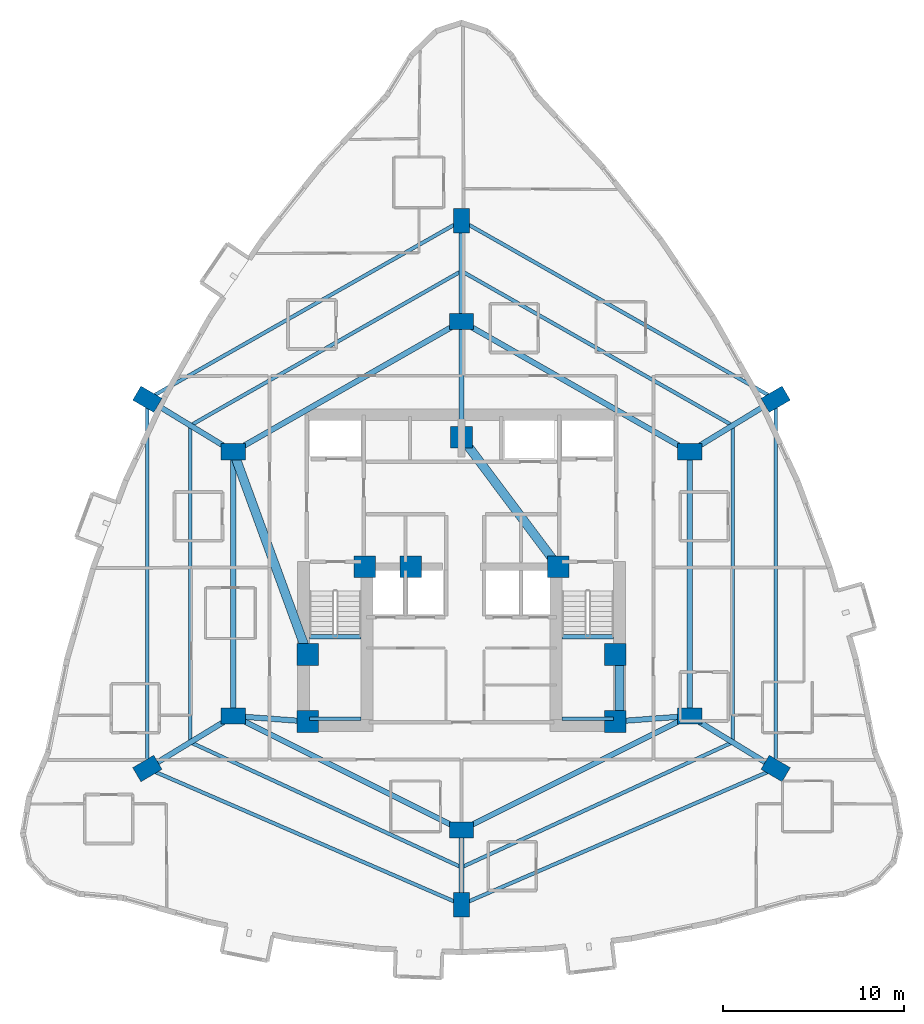
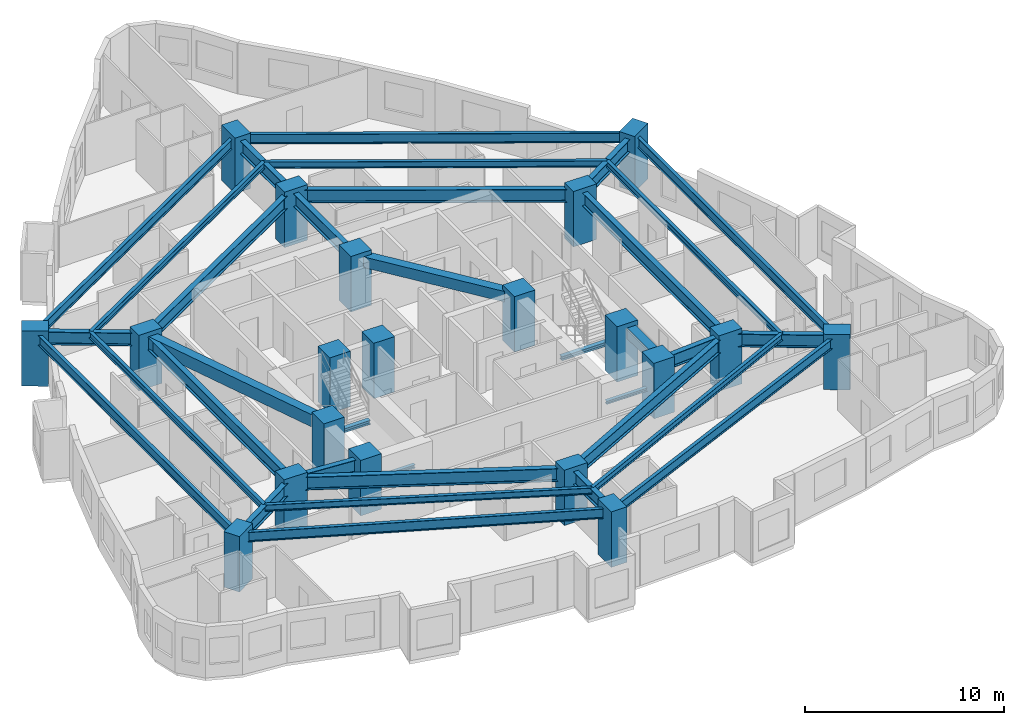
# One storey, part 1 of 13: 34 beams, 20 columns.
"""IFC4 building model written with IfcOpenShell, lengths in metres."""

from ifc_helpers import new_model, si_unit, direction, frame, origin, origin_2d, place, context, subcontext, project, spatial, rectangle, i_section, extrude, material, material_profile, profile_set, type_object, element, save


model = new_model("IFC4")

# Units and contexts
model_context = context("Model", 3, precision=1e-05, world=origin(), true_north=direction((0.0, 1.0)))
body_context = subcontext(model_context, "Body", "Model", "MODEL_VIEW")
ifc_project = project(units=[si_unit("LENGTHUNIT", "METRE"), si_unit("AREAUNIT", "SQUARE_METRE"), si_unit("VOLUMEUNIT", "CUBIC_METRE"), si_unit("PLANEANGLEUNIT", "RADIAN"), si_unit("MASSUNIT", "GRAM", prefix="KILO")], contexts=[model_context])

# Site, building, storey
site_placement = place(None, origin())
site = spatial("IfcSite", under=ifc_project, at=site_placement, CompositionType="ELEMENT")
building_placement = place(site_placement, origin())
building = spatial("IfcBuilding", under=site, at=building_placement, Name="Miruveldt Soraemaru", CompositionType="ELEMENT")
storey_placement = place(building_placement, frame((0.0, 0.0, 76.800048828125)))
storey = spatial("IfcBuildingStorey", under=building, at=storey_placement, Name="L21", CompositionType="ELEMENT", Elevation=76.800048828125)

# Columns
ifc_material_1 = material(Name="Concrete C70/85 (70 MPa)", Category="concrete")
ifc_material_profile_1 = material_profile(ifc_material_1, rectangle(XDim=1.199951171875, YDim=1.199951171875, at=origin_2d()), Name="Concrete C70/85 (70 MPa)", Category="concrete")
ifc_profile_set_1 = profile_set([ifc_material_profile_1], Name="Concrete C70/85 (70 MPa)")
column_type_1 = type_object("IfcColumnType", Name="COL-CORE-1200", PredefinedType="COLUMN", material=ifc_profile_set_1)
for number, where, z_axis, x_axis, name in (
    (1, (35.5, 35.5, 0.0), (0.0, 0.0, 1.0), (1.0, 0.0, 0.0), "L21 Structural Column CC1"),
    (2, (38.64990234375, 44.050048828125, 0.0), (0.0, 0.0, 1.0), (1.0, 0.0, 0.0), "L21 Structural Column CC2"),
    (3, (52.5, 35.5, 0.0), (0.0, 0.0, 1.0), (1.0, 0.0, 0.0), "L21 Structural Column CC3"),
    (4, (52.5, 39.199951171875, 0.0), (0.0, 0.0, 1.0), (1.0, 0.0, 0.0), "L21 Structural Column CC4"),
    (5, (49.35009765625, 44.050048828125, 0.0), (0.0, 0.0, 1.0), (1.0, 0.0, 0.0), "L21 Structural Column CC5"),
    (6, (44.0, 51.199951171875, 0.0), (0.0, 0.0, 1.0), (1.0, 0.0, 0.0), "L21 Structural Column CC6"),
    (7, (35.5, 39.199951171875, 0.0), (0.0, 0.0, 1.0), (1.0, 0.0, 0.0), "L21 Structural Column CC7"),
    (8, (41.199951171875, 44.050048828125, 0.0), (0.0, 0.0, 1.0), (1.0, 0.0, 0.0), "L21 Structural Column CC8"),
):
    element("IfcColumn", number, at=place(storey_placement, frame(where, z_axis=z_axis, x_axis=x_axis)), inside=storey, type_object=column_type_1, Name=name, PredefinedType="COLUMN", context=body_context, shape_type="SweptSolid", body=[
        extrude(rectangle(XDim=1.199951171875, YDim=1.199951171875, at=origin_2d()), origin(), (0.0, 0.0, 1.0), 3.39990234375),
    ])
ifc_material_profile_2 = material_profile(ifc_material_1, rectangle(XDim=1.35009765625, YDim=0.89990234375, at=origin_2d()), Name="Concrete C70/85 (70 MPa)", Category="concrete")
ifc_profile_set_2 = profile_set([ifc_material_profile_2], Name="Concrete C70/85 (70 MPa)")
column_type_2 = type_object("IfcColumnType", Name="COL-TW-Z1B", PredefinedType="COLUMN", material=ifc_profile_set_2)
for number, where, z_axis, x_axis, name in (
    (9, (44.0, 57.60009765625, 0.0), (0.0, 0.0, 1.0), (1.0, 0.0, 0.0), "L21 Structural Column IR01"),
    (10, (56.60009765625, 50.39990234375, 0.0), (0.0, 0.0, 1.0), (1.0, 0.0, 0.0), "L21 Structural Column IR02"),
    (11, (56.60009765625, 35.800048828125, 0.0), (0.0, 0.0, 1.0), (1.0, 0.0, 0.0), "L21 Structural Column IR03"),
    (12, (44.0, 29.5, 0.0), (0.0, 0.0, 1.0), (1.0, 0.0, 0.0), "L21 Structural Column IR04"),
    (13, (31.39990234375, 35.800048828125, 0.0), (0.0, 0.0, 1.0), (1.0, 0.0, 0.0), "L21 Structural Column IR05"),
    (14, (31.39990234375, 50.39990234375, 0.0), (0.0, 0.0, 1.0), (1.0, 0.0, 0.0), "L21 Structural Column IR06"),
    (15, (44.0, 63.16796875, 0.0), (0.0, 0.0, 1.0), (0.0, 1.0, 0.0), "L21 Structural Column Z1P01"),
    (16, (61.35595703125, 53.300048828125, 0.0), (0.0, 0.0, 1.0), (0.864274801954, 0.50301994663, 0.0), "L21 Structural Column Z1P02"),
    (17, (61.35595703125, 32.89990234375, 0.0), (0.0, 0.0, 1.0), (-0.859852271597, 0.510542917912, 0.0), "L21 Structural Column Z1P03"),
    (18, (44.0, 25.382080078125, 0.0), (0.0, 0.0, 1.0), (0.0, 1.0, 0.0), "L21 Structural Column Z1P04"),
    (19, (26.64404296875, 32.89990234375, 0.0), (0.0, 0.0, 1.0), (0.859852271597, 0.510542917912, 0.0), "L21 Structural Column Z1P05"),
    (20, (26.64404296875, 53.300048828125, 0.0), (0.0, 0.0, 1.0), (-0.864274801954, 0.50301994663, 0.0), "L21 Structural Column Z1P06"),
):
    element("IfcColumn", number, at=place(storey_placement, frame(where, z_axis=z_axis, x_axis=x_axis)), inside=storey, type_object=column_type_2, Name=name, PredefinedType="COLUMN", context=body_context, shape_type="SweptSolid", body=[
        extrude(rectangle(XDim=1.35009765625, YDim=0.89990234375, at=origin_2d()), origin(), (0.0, 0.0, 1.0), 3.39990234375),
    ])

# Beams
ifc_material_2 = material(Name="Concrete C50/60 (50 MPa)", Category="concrete")
ifc_material_profile_3 = material_profile(ifc_material_2, rectangle(XDim=0.5, YDim=0.64990234375, at=origin_2d()), Name="Concrete C50/60 (50 MPa)", Category="concrete")
ifc_profile_set_3 = profile_set([ifc_material_profile_3], Name="Concrete C50/60 (50 MPa)")
beam_type_1 = type_object("IfcBeamType", Name="BM-RC-500x650", PredefinedType="BEAM", material=ifc_profile_set_3)
beam_1_placement = place(storey_placement, frame((52.72998046875, 35.5, 2.800048828125), z_axis=(0.0, 1.0, 0.0), x_axis=(-1.0, 0.0, 0.0)))
element("IfcBeam", 21, at=beam_1_placement, inside=storey, type_object=beam_type_1, Name="L21 Core Tie Beam 3", PredefinedType="BEAM", context=body_context, shape_type="SweptSolid", body=[
    extrude(rectangle(XDim=0.5, YDim=0.64990234375, at=origin_2d()), origin(), (0.0, 0.0, 1.0), 3.699951171875),
])
beam_2_placement = place(storey_placement, frame((49.35009765625, 44.050048828125, 2.800048828125), z_axis=(-0.599116023999, 0.800662219533, 0.0), x_axis=(-0.800662219533, -0.599116023999, 0.0)))
element("IfcBeam", 22, at=beam_2_placement, inside=storey, type_object=beam_type_1, Name="L21 Core Tie Beam 5", PredefinedType="BEAM", context=body_context, shape_type="SweptSolid", body=[
    extrude(rectangle(XDim=0.5, YDim=0.64990234375, at=origin_2d()), origin(), (0.0, 0.0, 1.0), 8.929931640625),
])
ifc_material_3 = material(Name="Concrete C40/50 (40 MPa)", Category="concrete")
ifc_material_profile_4 = material_profile(ifc_material_3, rectangle(XDim=0.5, YDim=0.75, at=origin_2d()), Name="Concrete C40/50 (40 MPa)", Category="concrete")
ifc_profile_set_4 = profile_set([ifc_material_profile_4], Name="Concrete C40/50 (40 MPa)")
beam_type_2 = type_object("IfcBeamType", Name="BM-RC-500x750", PredefinedType="LINTEL", material=ifc_profile_set_4)
beam_3_placement = place(storey_placement, frame((31.39990234375, 50.39990234375, 2.75), z_axis=(0.343770424598, -0.939053723262, 0.0), x_axis=(0.939053723262, 0.343770424598, 0.0)))
element("IfcBeam", 23, at=beam_3_placement, inside=storey, type_object=beam_type_2, Name="L21 West Lobby Lintel", PredefinedType="LINTEL", context=body_context, shape_type="SweptSolid", body=[
    extrude(rectangle(XDim=0.5, YDim=0.75, at=origin_2d()), origin(), (0.0, 0.0, 1.0), 11.9267578125),
])
ifc_material_4 = material(Name="Steel SM355 (355 MPa)", Category="steel")
ifc_material_profile_5 = material_profile(ifc_material_4, i_section(OverallWidth=0.199951171875, OverallDepth=0.39990234375, WebThickness=0.008056640625, FlangeThickness=0.012939453125, FilletRadius=0.01611328125, at=origin_2d()), Name="Steel SM355 (355 MPa)", Category="steel")
ifc_profile_set_5 = profile_set([ifc_material_profile_5], Name="Steel SM355 (355 MPa)")
beam_type_3 = type_object("IfcBeamType", Name="BM-ST-H400", PredefinedType="JOIST", material=ifc_profile_set_5)
beam_4_placement = place(storey_placement, frame((44.0, 60.384033203125, 2.925048828125), z_axis=(0.868865604585, -0.495048039254, 0.0), x_axis=(0.495048039254, 0.868865604585, 0.0)))
element("IfcBeam", 24, at=beam_4_placement, inside=storey, type_object=beam_type_3, Name="L21 Outer Bay Floor Joist 1", PredefinedType="JOIST", context=body_context, shape_type="SweptSolid", body=[
    extrude(i_section(OverallWidth=0.199951171875, OverallDepth=0.39990234375, WebThickness=0.008056640625, FlangeThickness=0.012939453125, FilletRadius=0.01611328125, at=origin_2d()), origin(), (0.0, 0.0, 1.0), 17.238525390625),
])
beam_5_placement = place(storey_placement, frame((58.97802734375, 51.85009765625, 2.925048828125), z_axis=(0.0, -1.0, 0.0), x_axis=(1.0, 0.0, 0.0)))
element("IfcBeam", 25, at=beam_5_placement, inside=storey, type_object=beam_type_3, Name="L21 Outer Bay Floor Joist 2", PredefinedType="JOIST", context=body_context, shape_type="SweptSolid", body=[
    extrude(i_section(OverallWidth=0.199951171875, OverallDepth=0.39990234375, WebThickness=0.008056640625, FlangeThickness=0.012939453125, FilletRadius=0.01611328125, at=origin_2d()), origin(), (0.0, 0.0, 1.0), 17.5),
])
for number, where, z_axis, x_axis, name in (
    (26, (58.97802734375, 34.35009765625, 2.925048828125), (-0.908046005539, -0.418870447543, 0.0), (0.418870447543, -0.908046005539, 0.0), "L21 Outer Bay Floor Joist 3"),
    (27, (44.0, 27.44091796875, 2.925048828125), (-0.908046005539, 0.418870447543, 0.0), (-0.418870447543, -0.908046005539, 0.0), "L21 Outer Bay Floor Joist 4"),
):
    element("IfcBeam", number, at=place(storey_placement, frame(where, z_axis=z_axis, x_axis=x_axis)), inside=storey, type_object=beam_type_3, Name=name, PredefinedType="JOIST", context=body_context, shape_type="SweptSolid", body=[
        extrude(i_section(OverallWidth=0.199951171875, OverallDepth=0.39990234375, WebThickness=0.008056640625, FlangeThickness=0.012939453125, FilletRadius=0.01611328125, at=origin_2d()), origin(), (0.0, 0.0, 1.0), 16.494873046875),
    ])
beam_6_placement = place(storey_placement, frame((29.02197265625, 34.35009765625, 2.925048828125), z_axis=(0.0, 1.0, 0.0), x_axis=(-1.0, 0.0, 0.0)))
element("IfcBeam", 28, at=beam_6_placement, inside=storey, type_object=beam_type_3, Name="L21 Outer Bay Floor Joist 5", PredefinedType="JOIST", context=body_context, shape_type="SweptSolid", body=[
    extrude(i_section(OverallWidth=0.199951171875, OverallDepth=0.39990234375, WebThickness=0.008056640625, FlangeThickness=0.012939453125, FilletRadius=0.01611328125, at=origin_2d()), origin(), (0.0, 0.0, 1.0), 17.5),
])
beam_7_placement = place(storey_placement, frame((29.02197265625, 51.85009765625, 2.925048828125), z_axis=(0.868865604585, 0.495048039254, 0.0), x_axis=(-0.495048039254, 0.868865604585, 0.0)))
element("IfcBeam", 29, at=beam_7_placement, inside=storey, type_object=beam_type_3, Name="L21 Outer Bay Floor Joist 6", PredefinedType="JOIST", context=body_context, shape_type="SweptSolid", body=[
    extrude(i_section(OverallWidth=0.199951171875, OverallDepth=0.39990234375, WebThickness=0.008056640625, FlangeThickness=0.012939453125, FilletRadius=0.01611328125, at=origin_2d()), origin(), (0.0, 0.0, 1.0), 17.238525390625),
])
ifc_material_profile_6 = material_profile(ifc_material_4, i_section(OverallWidth=0.199951171875, OverallDepth=0.60009765625, WebThickness=0.010986328125, FlangeThickness=0.01708984375, FilletRadius=0.02197265625, at=origin_2d()), Name="Steel SM355 (355 MPa)", Category="steel")
ifc_profile_set_6 = profile_set([ifc_material_profile_6], Name="Steel SM355 (355 MPa)")
beam_type_4 = type_object("IfcBeamType", Name="BM-ST-H600", PredefinedType="SPANDREL", material=ifc_profile_set_6)
beam_8_placement = place(storey_placement, frame((44.0, 63.16796875, 2.824951171875), z_axis=(0.869314947608, -0.494258557706, 0.0), x_axis=(0.494258557706, 0.869314947608, 0.0)))
element("IfcBeam", 30, at=beam_8_placement, inside=storey, type_object=beam_type_4, Name="L21 Zone-1 Spandrel Beam 1", PredefinedType="SPANDREL", context=body_context, shape_type="SweptSolid", body=[
    extrude(i_section(OverallWidth=0.199951171875, OverallDepth=0.60009765625, WebThickness=0.010986328125, FlangeThickness=0.01708984375, FilletRadius=0.02197265625, at=origin_2d()), origin(), (0.0, 0.0, 1.0), 19.965087890625),
])
beam_9_placement = place(storey_placement, frame((61.35595703125, 53.300048828125, 2.824951171875), z_axis=(0.0, -1.0, 0.0), x_axis=(1.0, 0.0, 0.0)))
element("IfcBeam", 31, at=beam_9_placement, inside=storey, type_object=beam_type_4, Name="L21 Zone-1 Spandrel Beam 2", PredefinedType="SPANDREL", context=body_context, shape_type="SweptSolid", body=[
    extrude(i_section(OverallWidth=0.199951171875, OverallDepth=0.60009765625, WebThickness=0.010986328125, FlangeThickness=0.01708984375, FilletRadius=0.02197265625, at=origin_2d()), origin(), (0.0, 0.0, 1.0), 20.400146484375),
])
for number, where, z_axis, x_axis, name in (
    (32, (61.35595703125, 32.89990234375, 2.824951171875), (-0.917615263736, -0.397469782195, 0.0), (0.397469782195, -0.917615263736, 0.0), "L21 Zone-1 Spandrel Beam 3"),
    (33, (44.0, 25.382080078125, 2.824951171875), (-0.917615263736, 0.397469782195, 0.0), (-0.397469782195, -0.917615263736, 0.0), "L21 Zone-1 Spandrel Beam 4"),
):
    element("IfcBeam", number, at=place(storey_placement, frame(where, z_axis=z_axis, x_axis=x_axis)), inside=storey, type_object=beam_type_4, Name=name, PredefinedType="SPANDREL", context=body_context, shape_type="SweptSolid", body=[
        extrude(i_section(OverallWidth=0.199951171875, OverallDepth=0.60009765625, WebThickness=0.010986328125, FlangeThickness=0.01708984375, FilletRadius=0.02197265625, at=origin_2d()), origin(), (0.0, 0.0, 1.0), 18.914306640625),
    ])
beam_10_placement = place(storey_placement, frame((26.64404296875, 32.89990234375, 2.824951171875), z_axis=(0.0, 1.0, 0.0), x_axis=(-1.0, 0.0, 0.0)))
element("IfcBeam", 34, at=beam_10_placement, inside=storey, type_object=beam_type_4, Name="L21 Zone-1 Spandrel Beam 5", PredefinedType="SPANDREL", context=body_context, shape_type="SweptSolid", body=[
    extrude(i_section(OverallWidth=0.199951171875, OverallDepth=0.60009765625, WebThickness=0.010986328125, FlangeThickness=0.01708984375, FilletRadius=0.02197265625, at=origin_2d()), origin(), (0.0, 0.0, 1.0), 20.400146484375),
])
beam_11_placement = place(storey_placement, frame((26.64404296875, 53.300048828125, 2.824951171875), z_axis=(0.869314947608, 0.494258557706, 0.0), x_axis=(-0.494258557706, 0.869314947608, 0.0)))
element("IfcBeam", 35, at=beam_11_placement, inside=storey, type_object=beam_type_4, Name="L21 Zone-1 Spandrel Beam 6", PredefinedType="SPANDREL", context=body_context, shape_type="SweptSolid", body=[
    extrude(i_section(OverallWidth=0.199951171875, OverallDepth=0.60009765625, WebThickness=0.010986328125, FlangeThickness=0.01708984375, FilletRadius=0.02197265625, at=origin_2d()), origin(), (0.0, 0.0, 1.0), 19.965087890625),
])
ifc_material_5 = material(Name="Steel S460 (460 MPa)", Category="steel")
ifc_material_profile_7 = material_profile(ifc_material_5, i_section(OverallWidth=0.300048828125, OverallDepth=0.800048828125, WebThickness=0.013916015625, FlangeThickness=0.02587890625, FilletRadius=0.028076171875, at=origin_2d()), Name="Steel S460 (460 MPa)", Category="steel")
ifc_profile_set_7 = profile_set([ifc_material_profile_7], Name="Steel S460 (460 MPa)")
beam_type_5 = type_object("IfcBeamType", Name="BM-ST-H800", PredefinedType="BEAM", material=ifc_profile_set_7)
beam_12_placement = place(storey_placement, frame((44.0, 57.60009765625, 2.724853515625), z_axis=(0.868239001029, -0.496146185203, 0.0), x_axis=(0.496146185203, 0.868239001029, 0.0)))
element("IfcBeam", 36, at=beam_12_placement, inside=storey, type_object=beam_type_5, Name="L21 Inner Ring Girder 1", PredefinedType="BEAM", context=body_context, shape_type="SweptSolid", body=[
    extrude(i_section(OverallWidth=0.300048828125, OverallDepth=0.800048828125, WebThickness=0.013916015625, FlangeThickness=0.02587890625, FilletRadius=0.028076171875, at=origin_2d()), origin(), (0.0, 0.0, 1.0), 14.51220703125),
])
beam_13_placement = place(storey_placement, frame((44.0, 51.199951171875, 2.724853515625), z_axis=(0.0, 1.0, 0.0), x_axis=(-1.0, 0.0, 0.0)))
element("IfcBeam", 37, at=beam_13_placement, inside=storey, type_object=beam_type_5, Name="L21 Core-to-Inner Radial Girder 1", PredefinedType="BEAM", context=body_context, shape_type="SweptSolid", body=[
    extrude(i_section(OverallWidth=0.300048828125, OverallDepth=0.800048828125, WebThickness=0.013916015625, FlangeThickness=0.02587890625, FilletRadius=0.028076171875, at=origin_2d()), origin(), (0.0, 0.0, 1.0), 6.400146484375),
])
beam_14_placement = place(storey_placement, frame((56.60009765625, 50.39990234375, 2.724853515625), z_axis=(0.0, -1.0, 0.0), x_axis=(1.0, 0.0, 0.0)))
element("IfcBeam", 38, at=beam_14_placement, inside=storey, type_object=beam_type_5, Name="L21 Inner Ring Girder 2", PredefinedType="BEAM", context=body_context, shape_type="SweptSolid", body=[
    extrude(i_section(OverallWidth=0.300048828125, OverallDepth=0.800048828125, WebThickness=0.013916015625, FlangeThickness=0.02587890625, FilletRadius=0.028076171875, at=origin_2d()), origin(), (0.0, 0.0, 1.0), 14.599853515625),
])
beam_15_placement = place(storey_placement, frame((56.60009765625, 35.800048828125, 2.724853515625), z_axis=(-0.894427191, -0.4472135955, 0.0), x_axis=(0.4472135955, -0.894427191, 0.0)))
element("IfcBeam", 39, at=beam_15_placement, inside=storey, type_object=beam_type_5, Name="L21 Inner Ring Girder 3", PredefinedType="BEAM", context=body_context, shape_type="SweptSolid", body=[
    extrude(i_section(OverallWidth=0.300048828125, OverallDepth=0.800048828125, WebThickness=0.013916015625, FlangeThickness=0.02587890625, FilletRadius=0.028076171875, at=origin_2d()), origin(), (0.0, 0.0, 1.0), 14.08740234375),
])
beam_16_placement = place(storey_placement, frame((52.5, 35.5, 2.724853515625), z_axis=(0.997332985605, 0.072985723431, 0.0), x_axis=(-0.072985723431, 0.997332985605, 0.0)))
element("IfcBeam", 40, at=beam_16_placement, inside=storey, type_object=beam_type_5, Name="L21 Core-to-Inner Radial Girder 3", PredefinedType="BEAM", context=body_context, shape_type="SweptSolid", body=[
    extrude(i_section(OverallWidth=0.300048828125, OverallDepth=0.800048828125, WebThickness=0.013916015625, FlangeThickness=0.02587890625, FilletRadius=0.028076171875, at=origin_2d()), origin(), (0.0, 0.0, 1.0), 4.111083984375),
])
beam_17_placement = place(storey_placement, frame((44.0, 29.5, 2.724853515625), z_axis=(-0.894427191, 0.4472135955, 0.0), x_axis=(-0.4472135955, -0.894427191, 0.0)))
element("IfcBeam", 41, at=beam_17_placement, inside=storey, type_object=beam_type_5, Name="L21 Inner Ring Girder 4", PredefinedType="BEAM", context=body_context, shape_type="SweptSolid", body=[
    extrude(i_section(OverallWidth=0.300048828125, OverallDepth=0.800048828125, WebThickness=0.013916015625, FlangeThickness=0.02587890625, FilletRadius=0.028076171875, at=origin_2d()), origin(), (0.0, 0.0, 1.0), 14.08740234375),
])
beam_18_placement = place(storey_placement, frame((31.39990234375, 35.800048828125, 2.724853515625), z_axis=(0.0, 1.0, 0.0), x_axis=(-1.0, 0.0, 0.0)))
element("IfcBeam", 42, at=beam_18_placement, inside=storey, type_object=beam_type_5, Name="L21 Inner Ring Girder 5", PredefinedType="BEAM", context=body_context, shape_type="SweptSolid", body=[
    extrude(i_section(OverallWidth=0.300048828125, OverallDepth=0.800048828125, WebThickness=0.013916015625, FlangeThickness=0.02587890625, FilletRadius=0.028076171875, at=origin_2d()), origin(), (0.0, 0.0, 1.0), 14.599853515625),
])
beam_19_placement = place(storey_placement, frame((35.5, 35.5, 2.724853515625), z_axis=(-0.997332985605, 0.072985723431, 0.0), x_axis=(-0.072985723431, -0.997332985605, 0.0)))
element("IfcBeam", 43, at=beam_19_placement, inside=storey, type_object=beam_type_5, Name="L21 Core-to-Inner Radial Girder 5", PredefinedType="BEAM", context=body_context, shape_type="SweptSolid", body=[
    extrude(i_section(OverallWidth=0.300048828125, OverallDepth=0.800048828125, WebThickness=0.013916015625, FlangeThickness=0.02587890625, FilletRadius=0.028076171875, at=origin_2d()), origin(), (0.0, 0.0, 1.0), 4.111083984375),
])
beam_20_placement = place(storey_placement, frame((31.39990234375, 50.39990234375, 2.724853515625), z_axis=(0.868239001029, 0.496146185203, 0.0), x_axis=(-0.496146185203, 0.868239001029, 0.0)))
element("IfcBeam", 44, at=beam_20_placement, inside=storey, type_object=beam_type_5, Name="L21 Inner Ring Girder 6", PredefinedType="BEAM", context=body_context, shape_type="SweptSolid", body=[
    extrude(i_section(OverallWidth=0.300048828125, OverallDepth=0.800048828125, WebThickness=0.013916015625, FlangeThickness=0.02587890625, FilletRadius=0.028076171875, at=origin_2d()), origin(), (0.0, 0.0, 1.0), 14.51220703125),
])
beam_21_placement = place(storey_placement, frame((44.0, 57.60009765625, 2.724853515625), z_axis=(0.0, 1.0, 0.0), x_axis=(-1.0, 0.0, 0.0)))
element("IfcBeam", 45, at=beam_21_placement, inside=storey, type_object=beam_type_5, Name="L21 Zone-1 Radial Girder 1", PredefinedType="BEAM", context=body_context, shape_type="SweptSolid", body=[
    extrude(i_section(OverallWidth=0.300048828125, OverallDepth=0.800048828125, WebThickness=0.013916015625, FlangeThickness=0.02587890625, FilletRadius=0.028076171875, at=origin_2d()), origin(), (0.0, 0.0, 1.0), 5.56787109375),
])
for number, where, z_axis, x_axis, name in (
    (46, (56.60009765625, 50.39990234375, 2.724853515625), (0.853777644156, 0.520637814935, 0.0), (-0.520637814935, 0.853777644156, 0.0), "L21 Zone-1 Radial Girder 2"),
    (47, (56.60009765625, 35.800048828125, 2.724853515625), (0.853777644156, -0.520637814935, 0.0), (0.520637814935, 0.853777644156, 0.0), "L21 Zone-1 Radial Girder 3"),
):
    element("IfcBeam", number, at=place(storey_placement, frame(where, z_axis=z_axis, x_axis=x_axis)), inside=storey, type_object=beam_type_5, Name=name, PredefinedType="BEAM", context=body_context, shape_type="SweptSolid", body=[
        extrude(i_section(OverallWidth=0.300048828125, OverallDepth=0.800048828125, WebThickness=0.013916015625, FlangeThickness=0.02587890625, FilletRadius=0.028076171875, at=origin_2d()), origin(), (0.0, 0.0, 1.0), 5.5703125),
    ])
beam_22_placement = place(storey_placement, frame((44.0, 29.5, 2.724853515625), z_axis=(0.0, -1.0, 0.0), x_axis=(1.0, 0.0, 0.0)))
element("IfcBeam", 48, at=beam_22_placement, inside=storey, type_object=beam_type_5, Name="L21 Zone-1 Radial Girder 4", PredefinedType="BEAM", context=body_context, shape_type="SweptSolid", body=[
    extrude(i_section(OverallWidth=0.300048828125, OverallDepth=0.800048828125, WebThickness=0.013916015625, FlangeThickness=0.02587890625, FilletRadius=0.028076171875, at=origin_2d()), origin(), (0.0, 0.0, 1.0), 4.117919921875),
])
for number, where, z_axis, x_axis, name in (
    (49, (31.39990234375, 35.800048828125, 2.724853515625), (-0.853777644156, -0.520637814935, 0.0), (0.520637814935, -0.853777644156, 0.0), "L21 Zone-1 Radial Girder 5"),
    (50, (31.39990234375, 50.39990234375, 2.724853515625), (-0.853777644156, 0.520637814935, 0.0), (-0.520637814935, -0.853777644156, 0.0), "L21 Zone-1 Radial Girder 6"),
):
    element("IfcBeam", number, at=place(storey_placement, frame(where, z_axis=z_axis, x_axis=x_axis)), inside=storey, type_object=beam_type_5, Name=name, PredefinedType="BEAM", context=body_context, shape_type="SweptSolid", body=[
        extrude(i_section(OverallWidth=0.300048828125, OverallDepth=0.800048828125, WebThickness=0.013916015625, FlangeThickness=0.02587890625, FilletRadius=0.028076171875, at=origin_2d()), origin(), (0.0, 0.0, 1.0), 5.5703125),
    ])
ifc_material_profile_8 = material_profile(ifc_material_4, i_section(OverallWidth=0.199951171875, OverallDepth=0.199951171875, WebThickness=0.008056640625, FlangeThickness=0.011962890625, FilletRadius=0.012939453125, at=origin_2d()), Name="Steel SM355 (355 MPa)", Category="steel")
ifc_profile_set_8 = profile_set([ifc_material_profile_8], Name="Steel SM355 (355 MPa)")
beam_type_6 = type_object("IfcBeamType", Name="BM-ST-LND200", PredefinedType="BEAM", material=ifc_profile_set_8)
for number, where, z_axis, x_axis, name in (
    (51, (35.60009765625, 35.64990234375, 1.39990234375), (1.0, 0.0, 0.0), (0.0, 1.0, 0.0), "L21 ST1 Landing End Beam 1B"),
    (52, (49.550048828125, 35.64990234375, 1.39990234375), (1.0, 0.0, 0.0), (0.0, 1.0, 0.0), "L21 ST2 Landing End Beam 1B"),
):
    element("IfcBeam", number, at=place(storey_placement, frame(where, z_axis=z_axis, x_axis=x_axis)), inside=storey, type_object=beam_type_6, Name=name, PredefinedType="BEAM", context=body_context, shape_type="SweptSolid", body=[
        extrude(i_section(OverallWidth=0.199951171875, OverallDepth=0.199951171875, WebThickness=0.008056640625, FlangeThickness=0.011962890625, FilletRadius=0.012939453125, at=origin_2d()), origin(), (0.0, 0.0, 1.0), 2.849853515625),
    ])
ifc_material_profile_9 = material_profile(ifc_material_4, i_section(OverallWidth=0.25, OverallDepth=0.25, WebThickness=0.009033203125, FlangeThickness=0.013916015625, FilletRadius=0.01611328125, at=origin_2d()), Name="Steel SM355 (355 MPa)", Category="steel")
ifc_profile_set_9 = profile_set([ifc_material_profile_9], Name="Steel SM355 (355 MPa)")
beam_type_7 = type_object("IfcBeamType", Name="BM-ST-LND250", PredefinedType="BEAM", material=ifc_profile_set_9)
for number, where, z_axis, x_axis, name in (
    (53, (35.60009765625, 40.179931640625, 1.375), (1.0, 0.0, 0.0), (0.0, 1.0, 0.0), "L21 ST1 Landing Support Beam 1A"),
    (54, (49.550048828125, 40.179931640625, 1.375), (1.0, 0.0, 0.0), (0.0, 1.0, 0.0), "L21 ST2 Landing Support Beam 1A"),
):
    element("IfcBeam", number, at=place(storey_placement, frame(where, z_axis=z_axis, x_axis=x_axis)), inside=storey, type_object=beam_type_7, Name=name, PredefinedType="BEAM", context=body_context, shape_type="SweptSolid", body=[
        extrude(i_section(OverallWidth=0.25, OverallDepth=0.25, WebThickness=0.009033203125, FlangeThickness=0.013916015625, FilletRadius=0.01611328125, at=origin_2d()), origin(), (0.0, 0.0, 1.0), 2.849853515625),
    ])

save(model, "model.ifc")
